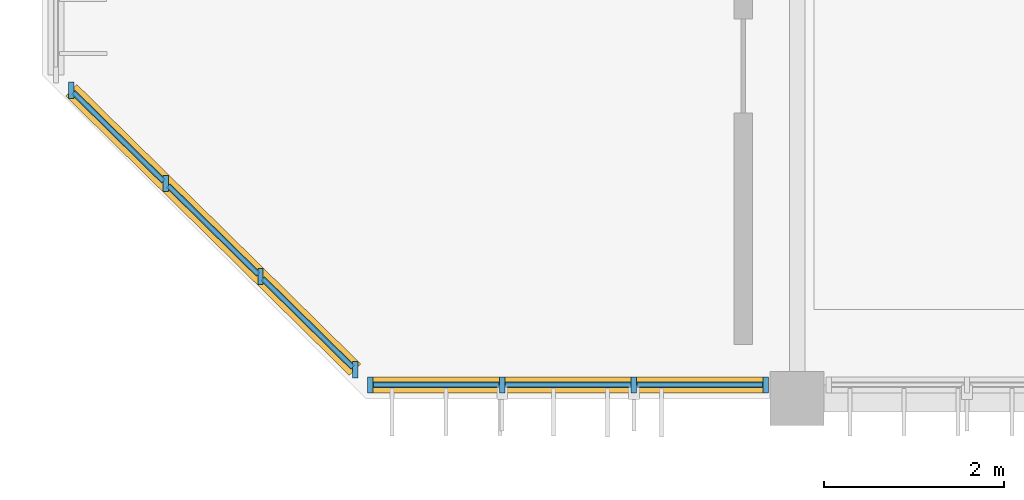
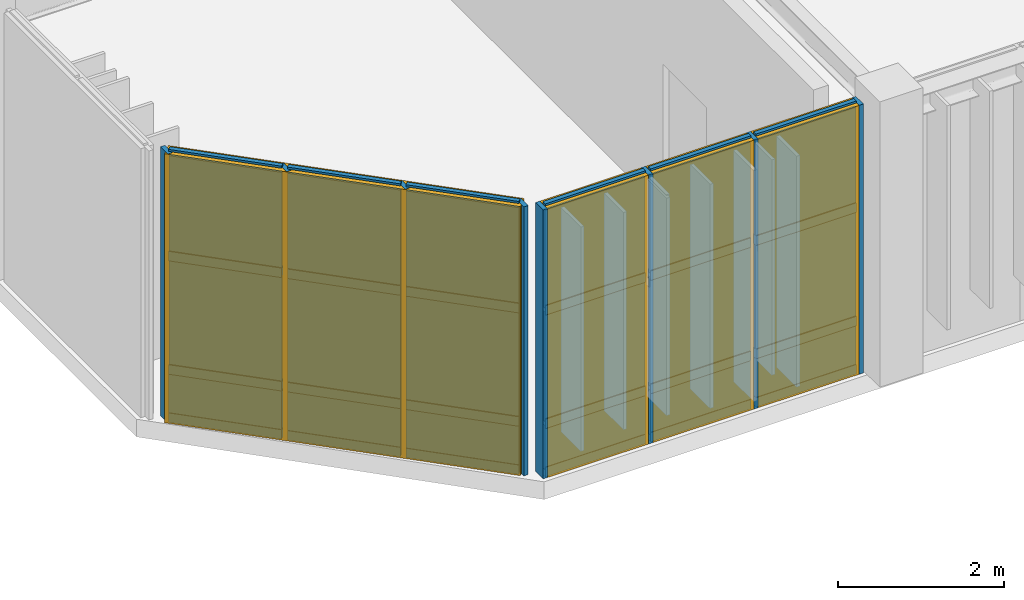
# One storey, part 62 of 104: 32 members, 18 plates, 2 curtain walls.
"""IFC4 building model written with IfcOpenShell, lengths in metres."""

from ifc_helpers import new_model, si_unit, direction, frame, frame_2d, origin, origin_2d, place, context, subcontext, project, spatial, rectangle, extrude, material, layer, layer_set, material_profile, profile_set, type_object, element, aggregate, save


model = new_model("IFC4")

# Units and contexts
model_context = context("Model", 3, precision=1e-05, world=origin(), true_north=direction((0.0, 1.0)))
body_context = subcontext(model_context, "Body", "Model", "MODEL_VIEW")
ifc_project = project(units=[si_unit("LENGTHUNIT", "METRE"), si_unit("AREAUNIT", "SQUARE_METRE"), si_unit("VOLUMEUNIT", "CUBIC_METRE"), si_unit("PLANEANGLEUNIT", "RADIAN"), si_unit("MASSUNIT", "GRAM", prefix="KILO")], contexts=[model_context])

# Member
ifc_material_1 = material(Name="Anodised Bronze Aluminium 6063-T6", Category="aluminium")
ifc_material_profile_1 = material_profile(ifc_material_1, rectangle(XDim=0.06005859375, YDim=0.179931640625, at=origin_2d()), Name="ALU MULLION 60x180")
ifc_profile_set_1 = profile_set([ifc_material_profile_1], Name="Anodised Bronze Aluminium 6063-T6")
member_type_1 = type_object("IfcMemberType", Name="Curtain-Wall Primary Mullion 60x180", PredefinedType="MULLION", material=ifc_profile_set_1)
site_placement = place(None, origin())
building_placement = place(site_placement, origin())
storey_placement = place(building_placement, frame((0.0, 0.0, 9.0)))
member_1_placement = place(storey_placement, frame((6.050048828125, 44.75, 0.0), z_axis=(0.0, 0.0, 1.0), x_axis=(1.0, 0.0, 0.0)))
member_1 = element("IfcMember", 1, at=member_1_placement, type_object=member_type_1, Name="Mullion CWM-01 CW-V6-S-L02-B1-M01", PredefinedType="MULLION", context=body_context, shape_type="SweptSolid", body=[
    extrude(rectangle(XDim=0.06005859375, YDim=0.179931640625, at=origin_2d()), origin(), (0.0, 0.0, 1.0), 3.9599609375),
])

member_2_placement = place(storey_placement, frame((7.5166015625, 44.75, 0.0), z_axis=(0.0, 0.0, 1.0), x_axis=(1.0, 0.0, 0.0)))
member_2 = element("IfcMember", 2, at=member_2_placement, type_object=member_type_1, Name="Mullion CWM-01 CW-V6-S-L02-B1-M02", PredefinedType="MULLION", context=body_context, shape_type="SweptSolid", body=[
    extrude(rectangle(XDim=0.06005859375, YDim=0.179931640625, at=origin_2d()), origin(), (0.0, 0.0, 1.0), 3.9599609375),
])

member_3_placement = place(storey_placement, frame((8.9833984375, 44.75, 0.0), z_axis=(0.0, 0.0, 1.0), x_axis=(1.0, 0.0, 0.0)))
member_3 = element("IfcMember", 3, at=member_3_placement, type_object=member_type_1, Name="Mullion CWM-01 CW-V6-S-L02-B1-M03", PredefinedType="MULLION", context=body_context, shape_type="SweptSolid", body=[
    extrude(rectangle(XDim=0.06005859375, YDim=0.179931640625, at=origin_2d()), origin(), (0.0, 0.0, 1.0), 3.9599609375),
])

member_4_placement = place(storey_placement, frame((10.449951171875, 44.75, 0.0), z_axis=(0.0, 0.0, 1.0), x_axis=(1.0, 0.0, 0.0)))
member_4 = element("IfcMember", 4, at=member_4_placement, type_object=member_type_1, Name="Mullion CWM-01 CW-V6-S-L02-B1-M04", PredefinedType="MULLION", context=body_context, shape_type="SweptSolid", body=[
    extrude(rectangle(XDim=0.06005859375, YDim=0.179931640625, at=origin_2d()), origin(), (0.0, 0.0, 1.0), 3.9599609375),
])

member_5_placement = place(storey_placement, frame((2.719970703125, 48.030029296875, 0.0), z_axis=(0.0, 0.0, 1.0), x_axis=(1.0, 0.0, 0.0)))
member_5 = element("IfcMember", 5, at=member_5_placement, type_object=member_type_1, Name="Mullion CWM-01 CW-V6-SWCH-L02-M01", PredefinedType="MULLION", context=body_context, shape_type="SweptSolid", body=[
    extrude(rectangle(XDim=0.06005859375, YDim=0.179931640625, at=origin_2d()), origin(), (0.0, 0.0, 1.0), 3.9599609375),
])

member_6_placement = place(storey_placement, frame((3.773193359375, 46.993408203125, 0.0), z_axis=(0.0, 0.0, 1.0), x_axis=(1.0, 0.0, 0.0)))
member_6 = element("IfcMember", 6, at=member_6_placement, type_object=member_type_1, Name="Mullion CWM-01 CW-V6-SWCH-L02-M02", PredefinedType="MULLION", context=body_context, shape_type="SweptSolid", body=[
    extrude(rectangle(XDim=0.06005859375, YDim=0.179931640625, at=origin_2d()), origin(), (0.0, 0.0, 1.0), 3.9599609375),
])

member_7_placement = place(storey_placement, frame((4.82666015625, 45.956787109375, 0.0), z_axis=(0.0, 0.0, 1.0), x_axis=(1.0, 0.0, 0.0)))
member_7 = element("IfcMember", 7, at=member_7_placement, type_object=member_type_1, Name="Mullion CWM-01 CW-V6-SWCH-L02-M03", PredefinedType="MULLION", context=body_context, shape_type="SweptSolid", body=[
    extrude(rectangle(XDim=0.06005859375, YDim=0.179931640625, at=origin_2d()), origin(), (0.0, 0.0, 1.0), 3.9599609375),
])

member_8_placement = place(storey_placement, frame((5.8798828125, 44.919921875, 0.0), z_axis=(0.0, 0.0, 1.0), x_axis=(1.0, 0.0, 0.0)))
member_8 = element("IfcMember", 8, at=member_8_placement, type_object=member_type_1, Name="Mullion CWM-01 CW-V6-SWCH-L02-M04", PredefinedType="MULLION", context=body_context, shape_type="SweptSolid", body=[
    extrude(rectangle(XDim=0.06005859375, YDim=0.179931640625, at=origin_2d()), origin(), (0.0, 0.0, 1.0), 3.9599609375),
])

ifc_material_profile_2 = material_profile(ifc_material_1, rectangle(XDim=0.06005859375, YDim=0.139892578125, at=origin_2d()), Name="ALU TRANSOM 60x140")
ifc_profile_set_2 = profile_set([ifc_material_profile_2], Name="Anodised Bronze Aluminium 6063-T6")
member_type_2 = type_object("IfcMemberType", Name="Curtain-Wall Transom 60x140", PredefinedType="USERDEFINED", material=ifc_profile_set_2)
member_9_placement = place(storey_placement, frame((6.0849609375, 44.75, 0.0400390625), z_axis=(1.0, 0.0, 0.0), x_axis=(0.0, 1.0, 0.0)))
member_9 = element("IfcMember", 9, at=member_9_placement, type_object=member_type_2, Name="Transom CWT-01 CW-V6-S-L02-B1-T01.1", ObjectType="TRANSOM", PredefinedType="USERDEFINED", context=body_context, shape_type="SweptSolid", body=[
    extrude(rectangle(XDim=0.06005859375, YDim=0.139892578125, at=origin_2d()), origin(), (0.0, 0.0, 1.0), 1.396728515625),
])

member_10_placement = place(storey_placement, frame((6.0849609375, 44.75, 0.75), z_axis=(1.0, 0.0, 0.0), x_axis=(0.0, 1.0, 0.0)))
member_10 = element("IfcMember", 10, at=member_10_placement, type_object=member_type_2, Name="Transom CWT-01 CW-V6-S-L02-B1-T01.2", ObjectType="TRANSOM", PredefinedType="USERDEFINED", context=body_context, shape_type="SweptSolid", body=[
    extrude(rectangle(XDim=0.06005859375, YDim=0.139892578125, at=origin_2d()), origin(), (0.0, 0.0, 1.0), 1.396728515625),
])

member_11_placement = place(storey_placement, frame((6.0849609375, 44.75, 2.419189453125), z_axis=(1.0, 0.0, 0.0), x_axis=(0.0, 1.0, 0.0)))
member_11 = element("IfcMember", 11, at=member_11_placement, type_object=member_type_2, Name="Transom CWT-01 CW-V6-S-L02-B1-T01.3", ObjectType="TRANSOM", PredefinedType="USERDEFINED", context=body_context, shape_type="SweptSolid", body=[
    extrude(rectangle(XDim=0.06005859375, YDim=0.139892578125, at=origin_2d()), origin(), (0.0, 0.0, 1.0), 1.396728515625),
])

member_12_placement = place(storey_placement, frame((6.0849609375, 44.75, 3.919921875), z_axis=(1.0, 0.0, 0.0), x_axis=(0.0, 1.0, 0.0)))
member_12 = element("IfcMember", 12, at=member_12_placement, type_object=member_type_2, Name="Transom CWT-01 CW-V6-S-L02-B1-T01.4", ObjectType="TRANSOM", PredefinedType="USERDEFINED", context=body_context, shape_type="SweptSolid", body=[
    extrude(rectangle(XDim=0.06005859375, YDim=0.139892578125, at=origin_2d()), origin(), (0.0, 0.0, 1.0), 1.396728515625),
])

member_13_placement = place(storey_placement, frame((7.5517578125, 44.75, 0.0400390625), z_axis=(1.0, 0.0, 0.0), x_axis=(0.0, 1.0, 0.0)))
member_13 = element("IfcMember", 13, at=member_13_placement, type_object=member_type_2, Name="Transom CWT-01 CW-V6-S-L02-B1-T02.1", ObjectType="TRANSOM", PredefinedType="USERDEFINED", context=body_context, shape_type="SweptSolid", body=[
    extrude(rectangle(XDim=0.06005859375, YDim=0.139892578125, at=origin_2d()), origin(), (0.0, 0.0, 1.0), 1.396484375),
])

member_14_placement = place(storey_placement, frame((7.5517578125, 44.75, 0.75), z_axis=(1.0, 0.0, 0.0), x_axis=(0.0, 1.0, 0.0)))
member_14 = element("IfcMember", 14, at=member_14_placement, type_object=member_type_2, Name="Transom CWT-01 CW-V6-S-L02-B1-T02.2", ObjectType="TRANSOM", PredefinedType="USERDEFINED", context=body_context, shape_type="SweptSolid", body=[
    extrude(rectangle(XDim=0.06005859375, YDim=0.139892578125, at=origin_2d()), origin(), (0.0, 0.0, 1.0), 1.396484375),
])

member_15_placement = place(storey_placement, frame((7.5517578125, 44.75, 2.419189453125), z_axis=(1.0, 0.0, 0.0), x_axis=(0.0, 1.0, 0.0)))
member_15 = element("IfcMember", 15, at=member_15_placement, type_object=member_type_2, Name="Transom CWT-01 CW-V6-S-L02-B1-T02.3", ObjectType="TRANSOM", PredefinedType="USERDEFINED", context=body_context, shape_type="SweptSolid", body=[
    extrude(rectangle(XDim=0.06005859375, YDim=0.139892578125, at=origin_2d()), origin(), (0.0, 0.0, 1.0), 1.396484375),
])

member_16_placement = place(storey_placement, frame((7.5517578125, 44.75, 3.919921875), z_axis=(1.0, 0.0, 0.0), x_axis=(0.0, 1.0, 0.0)))
member_16 = element("IfcMember", 16, at=member_16_placement, type_object=member_type_2, Name="Transom CWT-01 CW-V6-S-L02-B1-T02.4", ObjectType="TRANSOM", PredefinedType="USERDEFINED", context=body_context, shape_type="SweptSolid", body=[
    extrude(rectangle(XDim=0.06005859375, YDim=0.139892578125, at=origin_2d()), origin(), (0.0, 0.0, 1.0), 1.396484375),
])

member_17_placement = place(storey_placement, frame((9.018310546875, 44.75, 0.0400390625), z_axis=(1.0, 0.0, 0.0), x_axis=(0.0, 1.0, 0.0)))
member_17 = element("IfcMember", 17, at=member_17_placement, type_object=member_type_2, Name="Transom CWT-01 CW-V6-S-L02-B1-T03.1", ObjectType="TRANSOM", PredefinedType="USERDEFINED", context=body_context, shape_type="SweptSolid", body=[
    extrude(rectangle(XDim=0.06005859375, YDim=0.139892578125, at=origin_2d()), origin(), (0.0, 0.0, 1.0), 1.396728515625),
])

member_18_placement = place(storey_placement, frame((9.018310546875, 44.75, 0.75), z_axis=(1.0, 0.0, 0.0), x_axis=(0.0, 1.0, 0.0)))
member_18 = element("IfcMember", 18, at=member_18_placement, type_object=member_type_2, Name="Transom CWT-01 CW-V6-S-L02-B1-T03.2", ObjectType="TRANSOM", PredefinedType="USERDEFINED", context=body_context, shape_type="SweptSolid", body=[
    extrude(rectangle(XDim=0.06005859375, YDim=0.139892578125, at=origin_2d()), origin(), (0.0, 0.0, 1.0), 1.396728515625),
])

member_19_placement = place(storey_placement, frame((9.018310546875, 44.75, 2.419189453125), z_axis=(1.0, 0.0, 0.0), x_axis=(0.0, 1.0, 0.0)))
member_19 = element("IfcMember", 19, at=member_19_placement, type_object=member_type_2, Name="Transom CWT-01 CW-V6-S-L02-B1-T03.3", ObjectType="TRANSOM", PredefinedType="USERDEFINED", context=body_context, shape_type="SweptSolid", body=[
    extrude(rectangle(XDim=0.06005859375, YDim=0.139892578125, at=origin_2d()), origin(), (0.0, 0.0, 1.0), 1.396728515625),
])

member_20_placement = place(storey_placement, frame((9.018310546875, 44.75, 3.919921875), z_axis=(1.0, 0.0, 0.0), x_axis=(0.0, 1.0, 0.0)))
member_20 = element("IfcMember", 20, at=member_20_placement, type_object=member_type_2, Name="Transom CWT-01 CW-V6-S-L02-B1-T03.4", ObjectType="TRANSOM", PredefinedType="USERDEFINED", context=body_context, shape_type="SweptSolid", body=[
    extrude(rectangle(XDim=0.06005859375, YDim=0.139892578125, at=origin_2d()), origin(), (0.0, 0.0, 1.0), 1.396728515625),
])

member_21_placement = place(storey_placement, frame((2.744873046875, 48.00537109375, 0.0400390625), z_axis=(0.712720186233, -0.701448455794, 0.0), x_axis=(0.701448455794, 0.712720186233, 0.0)))
member_21 = element("IfcMember", 21, at=member_21_placement, type_object=member_type_2, Name="Transom CWT-01 CW-V6-SWCH-L02-T01.1", ObjectType="TRANSOM", PredefinedType="USERDEFINED", context=body_context, shape_type="SweptSolid", body=[
    extrude(rectangle(XDim=0.06005859375, YDim=0.139892578125, at=origin_2d()), origin(), (0.0, 0.0, 1.0), 1.407958984375),
])

member_22_placement = place(storey_placement, frame((2.744873046875, 48.00537109375, 0.75), z_axis=(0.712720186233, -0.701448455794, 0.0), x_axis=(0.701448455794, 0.712720186233, 0.0)))
member_22 = element("IfcMember", 22, at=member_22_placement, type_object=member_type_2, Name="Transom CWT-01 CW-V6-SWCH-L02-T01.2", ObjectType="TRANSOM", PredefinedType="USERDEFINED", context=body_context, shape_type="SweptSolid", body=[
    extrude(rectangle(XDim=0.06005859375, YDim=0.139892578125, at=origin_2d()), origin(), (0.0, 0.0, 1.0), 1.407958984375),
])

member_23_placement = place(storey_placement, frame((2.744873046875, 48.00537109375, 2.419189453125), z_axis=(0.712720186233, -0.701448455794, 0.0), x_axis=(0.701448455794, 0.712720186233, 0.0)))
member_23 = element("IfcMember", 23, at=member_23_placement, type_object=member_type_2, Name="Transom CWT-01 CW-V6-SWCH-L02-T01.3", ObjectType="TRANSOM", PredefinedType="USERDEFINED", context=body_context, shape_type="SweptSolid", body=[
    extrude(rectangle(XDim=0.06005859375, YDim=0.139892578125, at=origin_2d()), origin(), (0.0, 0.0, 1.0), 1.407958984375),
])

member_24_placement = place(storey_placement, frame((2.744873046875, 48.00537109375, 3.919921875), z_axis=(0.712720186233, -0.701448455794, 0.0), x_axis=(0.701448455794, 0.712720186233, 0.0)))
member_24 = element("IfcMember", 24, at=member_24_placement, type_object=member_type_2, Name="Transom CWT-01 CW-V6-SWCH-L02-T01.4", ObjectType="TRANSOM", PredefinedType="USERDEFINED", context=body_context, shape_type="SweptSolid", body=[
    extrude(rectangle(XDim=0.06005859375, YDim=0.139892578125, at=origin_2d()), origin(), (0.0, 0.0, 1.0), 1.407958984375),
])

member_25_placement = place(storey_placement, frame((3.79833984375, 46.96875, 0.0400390625), z_axis=(0.712720186233, -0.701448455794, 0.0), x_axis=(0.701448455794, 0.712720186233, 0.0)))
member_25 = element("IfcMember", 25, at=member_25_placement, type_object=member_type_2, Name="Transom CWT-01 CW-V6-SWCH-L02-T02.1", ObjectType="TRANSOM", PredefinedType="USERDEFINED", context=body_context, shape_type="SweptSolid", body=[
    extrude(rectangle(XDim=0.06005859375, YDim=0.139892578125, at=origin_2d()), origin(), (0.0, 0.0, 1.0), 1.407958984375),
])

member_26_placement = place(storey_placement, frame((3.79833984375, 46.96875, 0.75), z_axis=(0.712720186233, -0.701448455794, 0.0), x_axis=(0.701448455794, 0.712720186233, 0.0)))
member_26 = element("IfcMember", 26, at=member_26_placement, type_object=member_type_2, Name="Transom CWT-01 CW-V6-SWCH-L02-T02.2", ObjectType="TRANSOM", PredefinedType="USERDEFINED", context=body_context, shape_type="SweptSolid", body=[
    extrude(rectangle(XDim=0.06005859375, YDim=0.139892578125, at=origin_2d()), origin(), (0.0, 0.0, 1.0), 1.407958984375),
])

member_27_placement = place(storey_placement, frame((3.79833984375, 46.96875, 2.419189453125), z_axis=(0.712720186233, -0.701448455794, 0.0), x_axis=(0.701448455794, 0.712720186233, 0.0)))
member_27 = element("IfcMember", 27, at=member_27_placement, type_object=member_type_2, Name="Transom CWT-01 CW-V6-SWCH-L02-T02.3", ObjectType="TRANSOM", PredefinedType="USERDEFINED", context=body_context, shape_type="SweptSolid", body=[
    extrude(rectangle(XDim=0.06005859375, YDim=0.139892578125, at=origin_2d()), origin(), (0.0, 0.0, 1.0), 1.407958984375),
])

member_28_placement = place(storey_placement, frame((3.79833984375, 46.96875, 3.919921875), z_axis=(0.712720186233, -0.701448455794, 0.0), x_axis=(0.701448455794, 0.712720186233, 0.0)))
member_28 = element("IfcMember", 28, at=member_28_placement, type_object=member_type_2, Name="Transom CWT-01 CW-V6-SWCH-L02-T02.4", ObjectType="TRANSOM", PredefinedType="USERDEFINED", context=body_context, shape_type="SweptSolid", body=[
    extrude(rectangle(XDim=0.06005859375, YDim=0.139892578125, at=origin_2d()), origin(), (0.0, 0.0, 1.0), 1.407958984375),
])

member_29_placement = place(storey_placement, frame((4.8515625, 45.93212890625, 0.0400390625), z_axis=(0.712720186233, -0.701448455794, 0.0), x_axis=(0.701448455794, 0.712720186233, 0.0)))
member_29 = element("IfcMember", 29, at=member_29_placement, type_object=member_type_2, Name="Transom CWT-01 CW-V6-SWCH-L02-T03.1", ObjectType="TRANSOM", PredefinedType="USERDEFINED", context=body_context, shape_type="SweptSolid", body=[
    extrude(rectangle(XDim=0.06005859375, YDim=0.139892578125, at=origin_2d()), origin(), (0.0, 0.0, 1.0), 1.407958984375),
])

member_30_placement = place(storey_placement, frame((4.8515625, 45.93212890625, 0.75), z_axis=(0.712720186233, -0.701448455794, 0.0), x_axis=(0.701448455794, 0.712720186233, 0.0)))
member_30 = element("IfcMember", 30, at=member_30_placement, type_object=member_type_2, Name="Transom CWT-01 CW-V6-SWCH-L02-T03.2", ObjectType="TRANSOM", PredefinedType="USERDEFINED", context=body_context, shape_type="SweptSolid", body=[
    extrude(rectangle(XDim=0.06005859375, YDim=0.139892578125, at=origin_2d()), origin(), (0.0, 0.0, 1.0), 1.407958984375),
])

member_31_placement = place(storey_placement, frame((4.8515625, 45.93212890625, 2.419189453125), z_axis=(0.712720186233, -0.701448455794, 0.0), x_axis=(0.701448455794, 0.712720186233, 0.0)))
member_31 = element("IfcMember", 31, at=member_31_placement, type_object=member_type_2, Name="Transom CWT-01 CW-V6-SWCH-L02-T03.3", ObjectType="TRANSOM", PredefinedType="USERDEFINED", context=body_context, shape_type="SweptSolid", body=[
    extrude(rectangle(XDim=0.06005859375, YDim=0.139892578125, at=origin_2d()), origin(), (0.0, 0.0, 1.0), 1.407958984375),
])

member_32_placement = place(storey_placement, frame((4.8515625, 45.93212890625, 3.919921875), z_axis=(0.712720186233, -0.701448455794, 0.0), x_axis=(0.701448455794, 0.712720186233, 0.0)))
member_32 = element("IfcMember", 32, at=member_32_placement, type_object=member_type_2, Name="Transom CWT-01 CW-V6-SWCH-L02-T03.4", ObjectType="TRANSOM", PredefinedType="USERDEFINED", context=body_context, shape_type="SweptSolid", body=[
    extrude(rectangle(XDim=0.06005859375, YDim=0.139892578125, at=origin_2d()), origin(), (0.0, 0.0, 1.0), 1.407958984375),
])

# Plate
ifc_material_2 = material(Name="Insulated Bronze Aluminium Spandrel Panel", Category="aluminium")
ifc_layer_1 = layer(ifc_material_2, 0.050048828125, Name="Insulated Bronze Aluminium Spandrel Panel")
ifc_layer_set_1 = layer_set([ifc_layer_1], Name="Insulated Bronze Aluminium Spandrel Panel")
plate_type_1 = type_object("IfcPlateType", Name="Insulated Anodised Aluminium Spandrel Cassette 50", PredefinedType="CURTAIN_PANEL", material=ifc_layer_set_1)
plate_1_placement = place(storey_placement, frame((6.783203125, 44.75, 0.070068359375), z_axis=(0.0, 0.0, 1.0), x_axis=(1.0, 0.0, 0.0)))
plate_1 = element("IfcPlate", 33, at=plate_1_placement, type_object=plate_type_1, Name="Curtain Panel CWP-03 CW-V6-S-L02-B1-P01.1", PredefinedType="CURTAIN_PANEL", context=body_context, shape_type="SweptSolid", body=[
    extrude(rectangle(XDim=1.396728515625, YDim=0.050048828125, at=origin_2d()), origin(), (0.0, 0.0, 1.0), 0.64990234375),
])

plate_2_placement = place(storey_placement, frame((8.25, 44.75, 0.070068359375), z_axis=(0.0, 0.0, 1.0), x_axis=(1.0, 0.0, 0.0)))
plate_2 = element("IfcPlate", 34, at=plate_2_placement, type_object=plate_type_1, Name="Curtain Panel CWP-03 CW-V6-S-L02-B1-P02.1", PredefinedType="CURTAIN_PANEL", context=body_context, shape_type="SweptSolid", body=[
    extrude(rectangle(XDim=1.396728515625, YDim=0.050048828125, at=origin_2d()), origin(), (0.0, 0.0, 1.0), 0.64990234375),
])

plate_3_placement = place(storey_placement, frame((9.716796875, 44.75, 0.070068359375), z_axis=(0.0, 0.0, 1.0), x_axis=(1.0, 0.0, 0.0)))
plate_3 = element("IfcPlate", 35, at=plate_3_placement, type_object=plate_type_1, Name="Curtain Panel CWP-03 CW-V6-S-L02-B1-P03.1", PredefinedType="CURTAIN_PANEL", context=body_context, shape_type="SweptSolid", body=[
    extrude(rectangle(XDim=1.396728515625, YDim=0.050048828125, at=origin_2d()), origin(), (0.0, 0.0, 1.0), 0.64990234375),
])

plate_4_placement = place(storey_placement, frame((3.24658203125, 47.51171875, 0.070068359375), z_axis=(0.0, 0.0, 1.0), x_axis=(0.712722997586, -0.701445599253, 0.0)))
plate_4 = element("IfcPlate", 36, at=plate_4_placement, type_object=plate_type_1, Name="Curtain Panel CWP-03 CW-V6-SWCH-L02-P01.1", PredefinedType="CURTAIN_PANEL", context=body_context, shape_type="SweptSolid", body=[
    extrude(rectangle(XDim=1.407958984375, YDim=0.050048828125, at=origin_2d()), origin(), (0.0, 0.0, 1.0), 0.64990234375),
])

plate_5_placement = place(storey_placement, frame((4.300048828125, 46.47509765625, 0.070068359375), z_axis=(0.0, 0.0, 1.0), x_axis=(0.712722997586, -0.701445599253, 0.0)))
plate_5 = element("IfcPlate", 37, at=plate_5_placement, type_object=plate_type_1, Name="Curtain Panel CWP-03 CW-V6-SWCH-L02-P02.1", PredefinedType="CURTAIN_PANEL", context=body_context, shape_type="SweptSolid", body=[
    extrude(rectangle(XDim=1.407958984375, YDim=0.050048828125, at=origin_2d()), origin(), (0.0, 0.0, 1.0), 0.64990234375),
])

plate_6_placement = place(storey_placement, frame((5.353271484375, 45.438232421875, 0.070068359375), z_axis=(0.0, 0.0, 1.0), x_axis=(0.712722997586, -0.701445599253, 0.0)))
plate_6 = element("IfcPlate", 38, at=plate_6_placement, type_object=plate_type_1, Name="Curtain Panel CWP-03 CW-V6-SWCH-L02-P03.1", PredefinedType="CURTAIN_PANEL", context=body_context, shape_type="SweptSolid", body=[
    extrude(rectangle(XDim=1.407958984375, YDim=0.050048828125, at=origin_2d()), origin(), (0.0, 0.0, 1.0), 0.64990234375),
])

ifc_material_3 = material(Name="Solar-Control Tempered Double Glazing", Category="glass")
ifc_layer_2 = layer(ifc_material_3, 0.0380859375, Name="Solar-Control Tempered Double Glazing")
ifc_layer_set_2 = layer_set([ifc_layer_2], Name="Solar-Control Tempered Double Glazing")
plate_type_2 = type_object("IfcPlateType", Name="Solar-Control Vision Glazing Unit 38", PredefinedType="CURTAIN_PANEL", material=ifc_layer_set_2)
plate_7_placement = place(storey_placement, frame((6.783203125, 44.75, 0.7802734375), z_axis=(0.0, 0.0, 1.0), x_axis=(1.0, 0.0, 0.0)))
plate_7 = element("IfcPlate", 39, at=plate_7_placement, type_object=plate_type_2, Name="Curtain Panel CWP-02 CW-V6-S-L02-B1-P01.2", PredefinedType="CURTAIN_PANEL", context=body_context, shape_type="SweptSolid", body=[
    extrude(rectangle(XDim=1.396728515625, YDim=0.0380859375, at=origin_2d()), origin(), (0.0, 0.0, 1.0), 1.609130859375),
])

plate_8_placement = place(storey_placement, frame((6.783203125, 44.75, 2.44921875), z_axis=(0.0, 0.0, 1.0), x_axis=(1.0, 0.0, 0.0)))
plate_8 = element("IfcPlate", 40, at=plate_8_placement, type_object=plate_type_2, Name="Curtain Panel CWP-02 CW-V6-S-L02-B1-P01.3", PredefinedType="CURTAIN_PANEL", context=body_context, shape_type="SweptSolid", body=[
    extrude(rectangle(XDim=1.396728515625, YDim=0.0380859375, at=origin_2d()), origin(), (0.0, 0.0, 1.0), 1.44091796875),
])

plate_9_placement = place(storey_placement, frame((8.25, 44.75, 0.7802734375), z_axis=(0.0, 0.0, 1.0), x_axis=(1.0, 0.0, 0.0)))
plate_9 = element("IfcPlate", 41, at=plate_9_placement, type_object=plate_type_2, Name="Curtain Panel CWP-02 CW-V6-S-L02-B1-P02.2", PredefinedType="CURTAIN_PANEL", context=body_context, shape_type="SweptSolid", body=[
    extrude(rectangle(XDim=1.396728515625, YDim=0.0380859375, at=origin_2d()), origin(), (0.0, 0.0, 1.0), 1.609130859375),
])

plate_10_placement = place(storey_placement, frame((8.25, 44.75, 2.44921875), z_axis=(0.0, 0.0, 1.0), x_axis=(1.0, 0.0, 0.0)))
plate_10 = element("IfcPlate", 42, at=plate_10_placement, type_object=plate_type_2, Name="Curtain Panel CWP-02 CW-V6-S-L02-B1-P02.3", PredefinedType="CURTAIN_PANEL", context=body_context, shape_type="SweptSolid", body=[
    extrude(rectangle(XDim=1.396728515625, YDim=0.0380859375, at=origin_2d()), origin(), (0.0, 0.0, 1.0), 1.44091796875),
])

plate_11_placement = place(storey_placement, frame((9.716796875, 44.75, 0.7802734375), z_axis=(0.0, 0.0, 1.0), x_axis=(1.0, 0.0, 0.0)))
plate_11 = element("IfcPlate", 43, at=plate_11_placement, type_object=plate_type_2, Name="Curtain Panel CWP-02 CW-V6-S-L02-B1-P03.2", PredefinedType="CURTAIN_PANEL", context=body_context, shape_type="SweptSolid", body=[
    extrude(rectangle(XDim=1.396728515625, YDim=0.0380859375, at=origin_2d()), origin(), (0.0, 0.0, 1.0), 1.609130859375),
])

plate_12_placement = place(storey_placement, frame((9.716796875, 44.75, 2.44921875), z_axis=(0.0, 0.0, 1.0), x_axis=(1.0, 0.0, 0.0)))
plate_12 = element("IfcPlate", 44, at=plate_12_placement, type_object=plate_type_2, Name="Curtain Panel CWP-02 CW-V6-S-L02-B1-P03.3", PredefinedType="CURTAIN_PANEL", context=body_context, shape_type="SweptSolid", body=[
    extrude(rectangle(XDim=1.396728515625, YDim=0.0380859375, at=origin_2d()), origin(), (0.0, 0.0, 1.0), 1.44091796875),
])

plate_13_placement = place(storey_placement, frame((3.24658203125, 47.51171875, 0.7802734375), z_axis=(0.0, 0.0, 1.0), x_axis=(0.712722997586, -0.701445599253, 0.0)))
plate_13 = element("IfcPlate", 45, at=plate_13_placement, type_object=plate_type_2, Name="Curtain Panel CWP-02 CW-V6-SWCH-L02-P01.2", PredefinedType="CURTAIN_PANEL", context=body_context, shape_type="SweptSolid", body=[
    extrude(rectangle(XDim=1.407958984375, YDim=0.0380859375, at=origin_2d()), origin(), (0.0, 0.0, 1.0), 1.609130859375),
])

plate_14_placement = place(storey_placement, frame((3.24658203125, 47.51171875, 2.44921875), z_axis=(0.0, 0.0, 1.0), x_axis=(0.712722997586, -0.701445599253, 0.0)))
plate_14 = element("IfcPlate", 46, at=plate_14_placement, type_object=plate_type_2, Name="Curtain Panel CWP-02 CW-V6-SWCH-L02-P01.3", PredefinedType="CURTAIN_PANEL", context=body_context, shape_type="SweptSolid", body=[
    extrude(rectangle(XDim=1.407958984375, YDim=0.0380859375, at=origin_2d()), origin(), (0.0, 0.0, 1.0), 1.44091796875),
])

plate_15_placement = place(storey_placement, frame((4.300048828125, 46.47509765625, 0.7802734375), z_axis=(0.0, 0.0, 1.0), x_axis=(0.712722997586, -0.701445599253, 0.0)))
plate_15 = element("IfcPlate", 47, at=plate_15_placement, type_object=plate_type_2, Name="Curtain Panel CWP-02 CW-V6-SWCH-L02-P02.2", PredefinedType="CURTAIN_PANEL", context=body_context, shape_type="SweptSolid", body=[
    extrude(rectangle(XDim=1.407958984375, YDim=0.0380859375, at=origin_2d()), origin(), (0.0, 0.0, 1.0), 1.609130859375),
])

plate_16_placement = place(storey_placement, frame((4.300048828125, 46.47509765625, 2.44921875), z_axis=(0.0, 0.0, 1.0), x_axis=(0.712722997586, -0.701445599253, 0.0)))
plate_16 = element("IfcPlate", 48, at=plate_16_placement, type_object=plate_type_2, Name="Curtain Panel CWP-02 CW-V6-SWCH-L02-P02.3", PredefinedType="CURTAIN_PANEL", context=body_context, shape_type="SweptSolid", body=[
    extrude(rectangle(XDim=1.407958984375, YDim=0.0380859375, at=origin_2d()), origin(), (0.0, 0.0, 1.0), 1.44091796875),
])

plate_17_placement = place(storey_placement, frame((5.353271484375, 45.438232421875, 0.7802734375), z_axis=(0.0, 0.0, 1.0), x_axis=(0.712722997586, -0.701445599253, 0.0)))
plate_17 = element("IfcPlate", 49, at=plate_17_placement, type_object=plate_type_2, Name="Curtain Panel CWP-02 CW-V6-SWCH-L02-P03.2", PredefinedType="CURTAIN_PANEL", context=body_context, shape_type="SweptSolid", body=[
    extrude(rectangle(XDim=1.407958984375, YDim=0.0380859375, at=origin_2d()), origin(), (0.0, 0.0, 1.0), 1.609130859375),
])

plate_18_placement = place(storey_placement, frame((5.353271484375, 45.438232421875, 2.44921875), z_axis=(0.0, 0.0, 1.0), x_axis=(0.712722997586, -0.701445599253, 0.0)))
plate_18 = element("IfcPlate", 50, at=plate_18_placement, type_object=plate_type_2, Name="Curtain Panel CWP-02 CW-V6-SWCH-L02-P03.3", PredefinedType="CURTAIN_PANEL", context=body_context, shape_type="SweptSolid", body=[
    extrude(rectangle(XDim=1.407958984375, YDim=0.0380859375, at=origin_2d()), origin(), (0.0, 0.0, 1.0), 1.44091796875),
])

# Site, building, storey
site = spatial("IfcSite", under=ifc_project, at=site_placement, CompositionType="ELEMENT")
building = spatial("IfcBuilding", under=site, at=building_placement, Name="Tazoul Stagehouse", CompositionType="ELEMENT")
storey = spatial("IfcBuildingStorey", under=building, at=storey_placement, Name="L02", CompositionType="ELEMENT", Elevation=9.0)

# Curtain wall
curtain_wall_type_1 = type_object("IfcCurtainWallType", Name="Crescent Double-Skin Acoustic Curtain Wall", PredefinedType="NOTDEFINED", material=ifc_material_1)
curtain_wall_1_placement = place(storey_placement, frame((2.719970703125, 48.030029296875, 0.0), z_axis=(0.0, 0.0, 1.0), x_axis=(0.712701063165, -0.701467885626, 0.0)))
curtain_wall_1 = element("IfcCurtainWall", 51, at=curtain_wall_1_placement, inside=storey, type_object=curtain_wall_type_1, Name="L02 Curtain Wall CW-01 (CW-V6-SWCH-L02)", PredefinedType="NOTDEFINED", context=body_context, shape_type="SweptSolid", body=[
    extrude(rectangle(XDim=4.43359375, YDim=0.179931640625, at=frame_2d((2.216796875, 0.0))), origin(), (0.0, 0.0, 1.0), 3.9599609375),
])

aggregate(curtain_wall_1, [member_5, member_6, member_7, member_8, member_21, member_22, member_23, member_24, plate_4, plate_13, plate_14, member_25, member_26, member_27, member_28, plate_5, plate_15, plate_16, member_29, member_30, member_31, member_32, plate_6, plate_17, plate_18])

curtain_wall_type_2 = type_object("IfcCurtainWallType", Name="Foyer Clear Solar-Control Curtain Wall", PredefinedType="NOTDEFINED", material=ifc_material_1)
curtain_wall_2_placement = place(storey_placement, frame((6.050048828125, 44.75, 0.0), z_axis=(0.0, 0.0, 1.0), x_axis=(1.0, 0.0, 0.0)))
curtain_wall_2 = element("IfcCurtainWall", 52, at=curtain_wall_2_placement, inside=storey, type_object=curtain_wall_type_2, Name="L02 Curtain Wall CW-02 (CW-V6-S-L02-B1)", PredefinedType="NOTDEFINED", context=body_context, shape_type="SweptSolid", body=[
    extrude(rectangle(XDim=4.39990234375, YDim=0.179931640625, at=frame_2d((2.199951171875, 0.0))), origin(), (0.0, 0.0, 1.0), 3.9599609375),
])

aggregate(curtain_wall_2, [member_1, member_2, member_3, member_4, member_9, member_10, member_11, member_12, plate_1, plate_7, plate_8, member_13, member_14, member_15, member_16, plate_2, plate_9, plate_10, member_17, member_18, member_19, member_20, plate_3, plate_11, plate_12])

save(model, "model.ifc")
